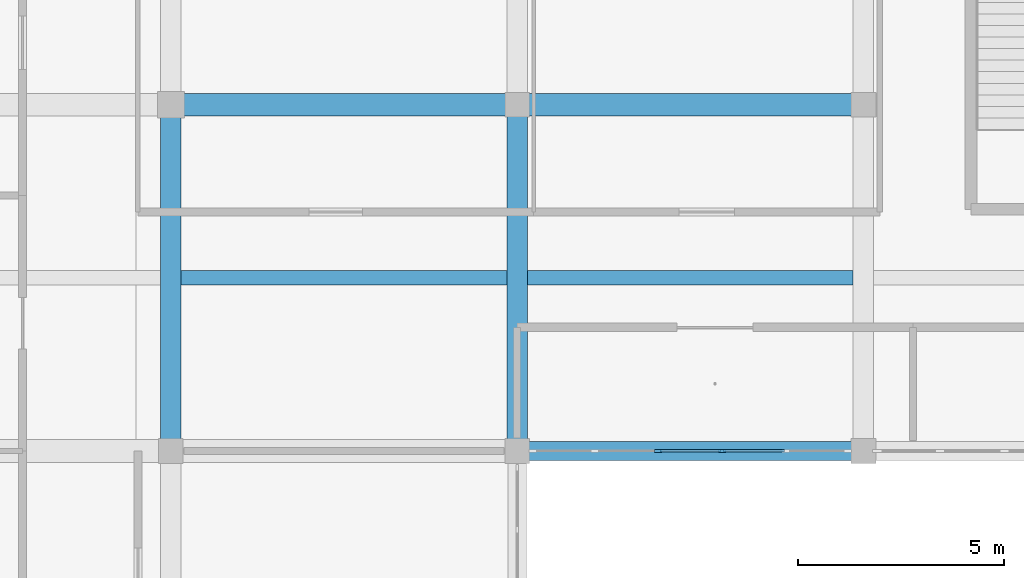
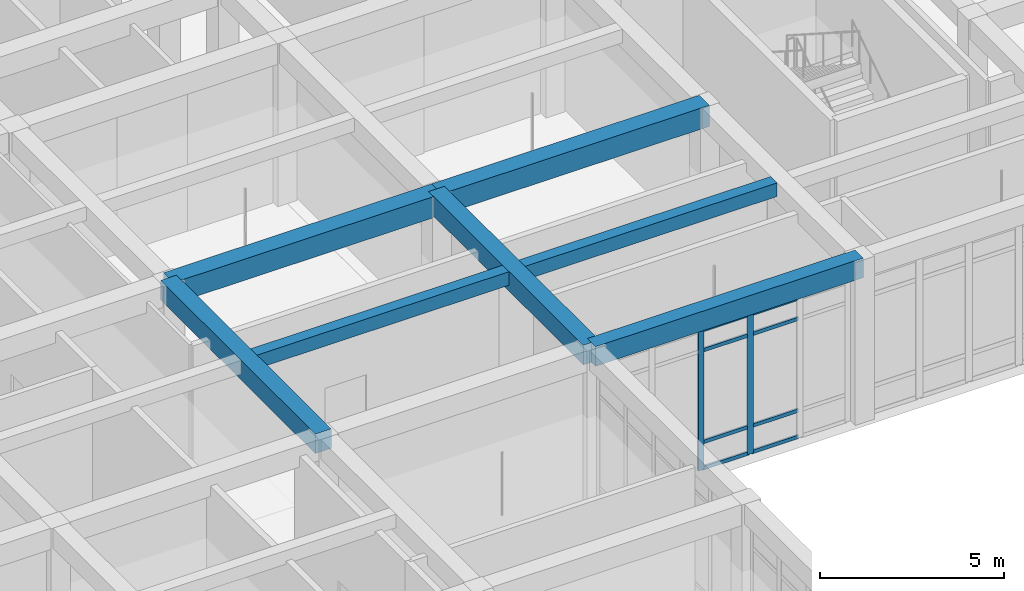
# One storey, part 32 of 157: 10 members, 7 beams, 1 element without a shape of its own.
"""IFC4 building model written with IfcOpenShell, lengths in metres."""

import ifcopenshell
import ifcopenshell.guid

model = None  # the IFC model being written
_history = None  # IfcOwnerHistory: only IFC2X3 demands one
_inside = {}  # id of a spatial element -> (the spatial element, [elements in it])
_under = {}  # id of a project, library or spatial element -> (it, [spatial elements below it])
_declared = {}  # id of a project -> (the project, [libraries it declares])
_typed = {}  # id of a type object -> (the type object, [elements of that type])
_made_of = {}  # id of a material, layer set ... -> (it, [elements and type objects made of it])


def new_model(schema):
    """Start an empty IFC model of exactly this schema.

    Asked for "IFC4X3", IfcOpenShell would pick the latest addendum, in which some entities
    have other attributes; the version numbers below select the first issue.
    IFC2X3 requires an IfcOwnerHistory on every rooted entity: one is made here for all.
    """
    global model, _history
    if schema == "IFC4X3":
        model = ifcopenshell.file(schema_version=(4, 3, 0, 0))
    else:
        model = ifcopenshell.file(schema=schema)
    _inside.clear()
    _under.clear()
    _declared.clear()
    _typed.clear()
    _made_of.clear()
    _history = None
    if model.schema == "IFC2X3":
        org = make("IfcOrganization", Name="unknown")
        user = make(
            "IfcPersonAndOrganization",
            ThePerson=make("IfcPerson", FamilyName="unknown"),
            TheOrganization=org,
        )
        app = make(
            "IfcApplication",
            ApplicationDeveloper=org,
            Version="unknown",
            ApplicationFullName="unknown",
            ApplicationIdentifier="unknown",
        )
        _history = make(
            "IfcOwnerHistory",
            OwningUser=user,
            OwningApplication=app,
            ChangeAction="ADDED",
            CreationDate=0,
        )
    return model


def make(cls, **values):
    """One entity of the class cls with the attributes given. An attribute that is None is left unset."""
    return model.create_entity(
        cls, **{name: value for name, value in values.items() if value is not None}
    )


def rooted(cls, **values):
    """An entity with a GlobalId (a new one), such as an element, a storey or a relation."""
    return make(cls, GlobalId=ifcopenshell.guid.new(), OwnerHistory=_history, **values)


def si_unit(unit_type, name, prefix=None):
    """IfcSIUnit, for example si_unit("LENGTHUNIT", "METRE", prefix="MILLI")."""
    return make("IfcSIUnit", UnitType=unit_type, Prefix=prefix, Name=name)


def assignment(units):
    """IfcUnitAssignment: the units of a project."""
    return None if units is None else make("IfcUnitAssignment", Units=units)


def point(xyz):
    """IfcCartesianPoint."""
    return None if xyz is None else make("IfcCartesianPoint", Coordinates=xyz)


def direction(xyz):
    """IfcDirection."""
    return None if xyz is None else make("IfcDirection", DirectionRatios=xyz)


def frame(location, z_axis=None, x_axis=None):
    """IfcAxis2Placement3D, a coordinate frame: its origin and axes. An axis left out is left unset."""
    return make(
        "IfcAxis2Placement3D",
        Location=point(location),
        Axis=direction(z_axis),
        RefDirection=direction(x_axis),
    )


def frame_2d(location, x_axis=None):
    """IfcAxis2Placement2D, a coordinate frame in the plane: its origin and x axis."""
    return make(
        "IfcAxis2Placement2D", Location=point(location), RefDirection=direction(x_axis)
    )


def origin():
    """The frame at (0, 0, 0) with its axes left unset."""
    return frame((0.0, 0.0, 0.0))


def origin_2d():
    """The frame at (0, 0) in the plane with its x axis left unset."""
    return frame_2d((0.0, 0.0))


def place(relative_to, where):
    """IfcLocalPlacement: puts the frame where relative to a parent placement (None: the world)."""
    return make(
        "IfcLocalPlacement", PlacementRelTo=relative_to, RelativePlacement=where
    )


def context(
    kind, dimensions, precision=None, world=None, true_north=None, identifier=None
):
    """IfcGeometricRepresentationContext, for example the 3D "Model" context."""
    return make(
        "IfcGeometricRepresentationContext",
        ContextIdentifier=identifier,
        ContextType=kind,
        CoordinateSpaceDimension=dimensions,
        Precision=precision,
        WorldCoordinateSystem=world,
        TrueNorth=true_north,
    )


def subcontext(parent, identifier, kind, view, scale=None):
    """IfcGeometricRepresentationSubContext, for example "Body" below "Model"."""
    return make(
        "IfcGeometricRepresentationSubContext",
        ContextIdentifier=identifier,
        ContextType=kind,
        ParentContext=parent,
        TargetScale=scale,
        TargetView=view,
    )


def project(units=None, contexts=None):
    """IfcProject with its units and contexts."""
    return rooted(
        "IfcProject",
        Name="project",
        RepresentationContexts=contexts,
        UnitsInContext=assignment(units),
    )


def spatial(cls, under=None, at=None, **own):
    """A site, building, storey or space (cls), placed at a placement, below another one or the project."""
    s = rooted(cls, ObjectPlacement=at, **own)
    if under is not None:
        _under.setdefault(under.id(), (under, []))[1].append(s)
    return s


def profile(cls, at=None, kind="AREA", **sizes):
    """A parametric profile (cls). Its sizes go by their IFC names, for example OverallWidth=200.0."""
    return make(cls, ProfileType=kind, Position=at, **sizes)


def rectangle(**sizes):
    """IfcRectangleProfileDef."""
    return profile("IfcRectangleProfileDef", **sizes)


def extrude(swept, where, along, depth):
    """IfcExtrudedAreaSolid: the profile swept, set in the frame where, extruded along a direction by depth."""
    return make(
        "IfcExtrudedAreaSolid",
        SweptArea=swept,
        Position=where,
        ExtrudedDirection=direction(along),
        Depth=depth,
    )


def shape(context_of_items, identifier, shape_type, items):
    """IfcShapeRepresentation: the items that make up one representation, for example the "Body"."""
    return make(
        "IfcShapeRepresentation",
        ContextOfItems=context_of_items,
        RepresentationIdentifier=identifier,
        RepresentationType=shape_type,
        Items=items,
    )


def material(Name=None, Category=None):
    """IfcMaterial."""
    return make("IfcMaterial", Name=Name, Category=Category)


def material_profile(
    of_material, cross_section, Name=None, Category=None, Priority=None
):
    """IfcMaterialProfile: a cross section and its material."""
    return make(
        "IfcMaterialProfile",
        Name=Name,
        Material=of_material,
        Profile=cross_section,
        Priority=Priority,
        Category=Category,
    )


def profile_set(profiles, Name=None, composite=None):
    """IfcMaterialProfileSet."""
    return make(
        "IfcMaterialProfileSet",
        Name=Name,
        MaterialProfiles=profiles,
        CompositeProfile=composite,
    )


def made_of(thing, what):
    """Note that an element or type object is made of a material, layer set ...; save() writes the relation."""
    if what is not None:
        _made_of.setdefault(what.id(), (what, []))[1].append(thing)
    return thing


def type_object(cls, material=None, **own):
    """A type object (cls), such as IfcWallType, which elements share."""
    return made_of(rooted(cls, **own), material)


def element(
    cls,
    number,
    at=None,
    inside=None,
    cuts=None,
    type_object=None,
    material=None,
    context=None,
    identifier="Body",
    shape_type=None,
    held_by="IfcProductDefinitionShape",
    body=None,
    shapes=None,
    **own,
):
    """One element of the class cls, such as IfcWall. Its Tag is "e" and its number.

    at: its placement. inside: the storey or other place that contains it. cuts: it is an
    opening in that element (IfcRelVoidsElement). A single representation is given by context,
    identifier, shape_type and body (its items); several are given by shapes. held_by: the class
    of the entity that holds the representations. save() writes the other relations.
    """
    e = rooted(cls, Tag="e%d" % number, ObjectPlacement=at, **own)
    if body is not None:
        shapes = [shape(context, identifier, shape_type, body)]
    if shapes is not None:
        e.Representation = make(held_by, Representations=shapes)
    if inside is not None:
        _inside.setdefault(inside.id(), (inside, []))[1].append(e)
    if cuts is not None:
        rooted(
            "IfcRelVoidsElement", RelatingBuildingElement=cuts, RelatedOpeningElement=e
        )
    if type_object is not None:
        _typed.setdefault(type_object.id(), (type_object, []))[1].append(e)
    return made_of(e, material)


def aggregate(whole, parts):
    """IfcRelAggregates: a whole, such as a stair, and the parts it consists of."""
    return rooted("IfcRelAggregates", RelatingObject=whole, RelatedObjects=parts)


def save(model, path):
    """Write the relations noted so far, then the file.

    IfcRelAggregates (storeys below a building ...), IfcRelContainedInSpatialStructure (elements
    in a storey), IfcRelDefinesByType, IfcRelAssociatesMaterial and IfcRelDeclares: one each for
    every whole, place, type object, material and project.
    """
    for whole, parts in _under.values():
        aggregate(whole, parts)
    for where, things in _inside.values():
        rooted(
            "IfcRelContainedInSpatialStructure",
            RelatedElements=things,
            RelatingStructure=where,
        )
    for kind, things in _typed.values():
        rooted("IfcRelDefinesByType", RelatedObjects=things, RelatingType=kind)
    for what, things in _made_of.values():
        rooted("IfcRelAssociatesMaterial", RelatedObjects=things, RelatingMaterial=what)
    for by, libraries in _declared.values():
        rooted("IfcRelDeclares", RelatingContext=by, RelatedDefinitions=libraries)
    model.write(path)


model = new_model("IFC4")

# Units and contexts
model_context = context("Model", 3, precision=1e-05, world=origin(), true_north=direction((0.0, 1.0)))
body_context = subcontext(model_context, "Body", "Model", "MODEL_VIEW")
ifc_project = project(units=[si_unit("LENGTHUNIT", "METRE"), si_unit("AREAUNIT", "SQUARE_METRE"), si_unit("VOLUMEUNIT", "CUBIC_METRE"), si_unit("PLANEANGLEUNIT", "RADIAN"), si_unit("MASSUNIT", "GRAM", prefix="KILO")], contexts=[model_context])

# Site, building, storey
site_placement = place(None, origin())
site = spatial("IfcSite", under=ifc_project, at=site_placement, CompositionType="ELEMENT")
building_placement = place(site_placement, origin())
building = spatial("IfcBuilding", under=site, at=building_placement, Name="Varncliffe General Hospital", CompositionType="ELEMENT")
storey_placement = place(building_placement, frame((0.0, 0.0, 5.39990234375)))
storey = spatial("IfcBuildingStorey", under=building, at=storey_placement, Name="L01", CompositionType="ELEMENT", Elevation=5.39990234375)

# Beams
ifc_material_1 = material(Name="Concrete C35/45 (CSA A23.1 35 MPa)", Category="concrete")
ifc_material_profile_1 = material_profile(ifc_material_1, rectangle(XDim=0.5, YDim=0.64990234375, at=origin_2d()), Name="RC 500x650")
ifc_profile_set_1 = profile_set([ifc_material_profile_1], Name="Concrete C35/45 (CSA A23.1 35 MPa)")
beam_type_1 = type_object("IfcBeamType", Name="Beam B29 (Int RC 500x650)", PredefinedType="BEAM", material=ifc_profile_set_1)
for number, where, z_axis, x_axis, name in (
    (1, (16.800048828125, 82.800048828125, 5.0751953125), (0.0, 1.0, 0.0), (-1.0, 0.0, 0.0), "L01 Primary Beam B29-302"),
    (2, (25.199951171875, 82.800048828125, 5.0751953125), (0.0, 1.0, 0.0), (-1.0, 0.0, 0.0), "L01 Primary Beam B29-319"),
):
    element("IfcBeam", number, at=place(storey_placement, frame(where, z_axis=z_axis, x_axis=x_axis)), inside=storey, type_object=beam_type_1, Name=name, PredefinedType="BEAM", context=body_context, shape_type="SweptSolid", body=[
        extrude(rectangle(XDim=0.5, YDim=0.64990234375, at=origin_2d()), origin(), (0.0, 0.0, 1.0), 8.39990234375),
    ])
ifc_material_profile_2 = material_profile(ifc_material_1, rectangle(XDim=0.550048828125, YDim=0.699951171875, at=origin_2d()), Name="RC 550x700")
ifc_profile_set_2 = profile_set([ifc_material_profile_2], Name="Concrete C35/45 (CSA A23.1 35 MPa)")
beam_type_2 = type_object("IfcBeamType", Name="Beam B35 (Int RC 550x700)", PredefinedType="BEAM", material=ifc_profile_set_2)
beam_1_placement = place(storey_placement, frame((16.800048828125, 91.199951171875, 5.050048828125), z_axis=(1.0, 0.0, 0.0), x_axis=(0.0, 1.0, 0.0)))
element("IfcBeam", 3, at=beam_1_placement, inside=storey, type_object=beam_type_2, Name="L01 Primary Beam B35-135", PredefinedType="BEAM", context=body_context, shape_type="SweptSolid", body=[
    extrude(rectangle(XDim=0.550048828125, YDim=0.699951171875, at=origin_2d()), origin(), (0.0, 0.0, 1.0), 8.39990234375),
])
beam_2_placement = place(storey_placement, frame((25.199951171875, 91.199951171875, 5.050048828125), z_axis=(1.0, 0.0, 0.0), x_axis=(0.0, 1.0, 0.0)))
element("IfcBeam", 4, at=beam_2_placement, inside=storey, type_object=beam_type_2, Name="L01 Primary Beam B35-136", PredefinedType="BEAM", context=body_context, shape_type="SweptSolid", body=[
    extrude(rectangle(XDim=0.550048828125, YDim=0.699951171875, at=origin_2d()), origin(), (0.0, 0.0, 1.0), 8.400146484375),
])

# Curtain wall, members
ifc_material_2 = material(Name="Triple low-E argon insulated vision glazing", Category="glass")
curtain_wall_type = type_object("IfcCurtainWallType", Name="Unitised Glazed Curtain Wall CW70 (7724x4640)", PredefinedType="USERDEFINED", material=ifc_material_2)
curtain_wall_placement = place(storey_placement, origin())
curtain_wall = element("IfcCurtainWall", 5, at=curtain_wall_placement, inside=storey, type_object=curtain_wall_type, Name="L01 Glazed Curtain Wall CW70-76", ObjectType="GLAZED CURTAIN WALL", PredefinedType="USERDEFINED")
ifc_material_3 = material(Name="Dark bronze thermally broken aluminium framing", Category="aluminium")
ifc_material_profile_3 = material_profile(ifc_material_3, rectangle(XDim=0.074951171875, YDim=0.179931640625, at=origin_2d()), Name="ALU 75x180")
ifc_profile_set_3 = profile_set([ifc_material_profile_3], Name="Dark bronze thermally broken aluminium framing")
member_type_1 = type_object("IfcMemberType", Name="Curtain Wall Mullion CM44 (ALU 75x180)", PredefinedType="MULLION", material=ifc_profile_set_3)
member_1_placement = place(storey_placement, frame((30.17236328125, 82.800048828125, 0.0), z_axis=(0.0, 0.0, 1.0), x_axis=(0.0, -1.0, 0.0)))
member_1 = element("IfcMember", 6, at=member_1_placement, type_object=member_type_1, Name="CW70 mullion 3", PredefinedType="MULLION", context=body_context, shape_type="SweptSolid", body=[
    extrude(rectangle(XDim=0.074951171875, YDim=0.179931640625, at=origin_2d()), origin(), (0.0, 0.0, 1.0), 4.64013671875),
])
member_2_placement = place(storey_placement, frame((28.627685546875, 82.800048828125, 0.0), z_axis=(0.0, 0.0, 1.0), x_axis=(0.0, -1.0, 0.0)))
member_2 = element("IfcMember", 7, at=member_2_placement, type_object=member_type_1, Name="CW70 mullion 4", PredefinedType="MULLION", context=body_context, shape_type="SweptSolid", body=[
    extrude(rectangle(XDim=0.074951171875, YDim=0.179931640625, at=origin_2d()), origin(), (0.0, 0.0, 1.0), 4.64013671875),
])
ifc_material_profile_4 = material_profile(ifc_material_3, rectangle(XDim=0.06005859375, YDim=0.1201171875, at=origin_2d()), Name="ALU 60x120")
ifc_profile_set_4 = profile_set([ifc_material_profile_4], Name="Dark bronze thermally broken aluminium framing")
member_type_2 = type_object("IfcMemberType", Name="Curtain Wall Transom CT14 (ALU 60x120)", PredefinedType="USERDEFINED", material=ifc_profile_set_4)
member_3_placement = place(storey_placement, frame((31.6796875, 82.800048828125, 0.030029296875), z_axis=(-1.0, 0.0, 0.0), x_axis=(0.0, -1.0, 0.0)))
member_3 = element("IfcMember", 8, at=member_3_placement, type_object=member_type_2, Name="CW70 transom 2.1", ObjectType="TRANSOM", PredefinedType="USERDEFINED", context=body_context, shape_type="SweptSolid", body=[
    extrude(rectangle(XDim=0.06005859375, YDim=0.1201171875, at=origin_2d()), origin(), (0.0, 0.0, 1.0), 1.4697265625),
])
member_4_placement = place(storey_placement, frame((31.6796875, 82.800048828125, 0.900146484375), z_axis=(-1.0, 0.0, 0.0), x_axis=(0.0, -1.0, 0.0)))
member_4 = element("IfcMember", 9, at=member_4_placement, type_object=member_type_2, Name="CW70 transom 2.2", ObjectType="TRANSOM", PredefinedType="USERDEFINED", context=body_context, shape_type="SweptSolid", body=[
    extrude(rectangle(XDim=0.06005859375, YDim=0.1201171875, at=origin_2d()), origin(), (0.0, 0.0, 1.0), 1.4697265625),
])
member_5_placement = place(storey_placement, frame((31.6796875, 82.800048828125, 3.940185546875), z_axis=(-1.0, 0.0, 0.0), x_axis=(0.0, -1.0, 0.0)))
member_5 = element("IfcMember", 10, at=member_5_placement, type_object=member_type_2, Name="CW70 transom 2.3", ObjectType="TRANSOM", PredefinedType="USERDEFINED", context=body_context, shape_type="SweptSolid", body=[
    extrude(rectangle(XDim=0.06005859375, YDim=0.1201171875, at=origin_2d()), origin(), (0.0, 0.0, 1.0), 1.4697265625),
])
member_6_placement = place(storey_placement, frame((31.6796875, 82.800048828125, 4.610107421875), z_axis=(-1.0, 0.0, 0.0), x_axis=(0.0, -1.0, 0.0)))
member_6 = element("IfcMember", 11, at=member_6_placement, type_object=member_type_2, Name="CW70 transom 2.4", ObjectType="TRANSOM", PredefinedType="USERDEFINED", context=body_context, shape_type="SweptSolid", body=[
    extrude(rectangle(XDim=0.06005859375, YDim=0.1201171875, at=origin_2d()), origin(), (0.0, 0.0, 1.0), 1.4697265625),
])
member_7_placement = place(storey_placement, frame((30.135009765625, 82.800048828125, 0.030029296875), z_axis=(-1.0, 0.0, 0.0), x_axis=(0.0, -1.0, 0.0)))
member_7 = element("IfcMember", 12, at=member_7_placement, type_object=member_type_2, Name="CW70 transom 3.1", ObjectType="TRANSOM", PredefinedType="USERDEFINED", context=body_context, shape_type="SweptSolid", body=[
    extrude(rectangle(XDim=0.06005859375, YDim=0.1201171875, at=origin_2d()), origin(), (0.0, 0.0, 1.0), 1.469970703125),
])
member_8_placement = place(storey_placement, frame((30.135009765625, 82.800048828125, 0.900146484375), z_axis=(-1.0, 0.0, 0.0), x_axis=(0.0, -1.0, 0.0)))
member_8 = element("IfcMember", 13, at=member_8_placement, type_object=member_type_2, Name="CW70 transom 3.2", ObjectType="TRANSOM", PredefinedType="USERDEFINED", context=body_context, shape_type="SweptSolid", body=[
    extrude(rectangle(XDim=0.06005859375, YDim=0.1201171875, at=origin_2d()), origin(), (0.0, 0.0, 1.0), 1.469970703125),
])
member_9_placement = place(storey_placement, frame((30.135009765625, 82.800048828125, 3.940185546875), z_axis=(-1.0, 0.0, 0.0), x_axis=(0.0, -1.0, 0.0)))
member_9 = element("IfcMember", 14, at=member_9_placement, type_object=member_type_2, Name="CW70 transom 3.3", ObjectType="TRANSOM", PredefinedType="USERDEFINED", context=body_context, shape_type="SweptSolid", body=[
    extrude(rectangle(XDim=0.06005859375, YDim=0.1201171875, at=origin_2d()), origin(), (0.0, 0.0, 1.0), 1.469970703125),
])
member_10_placement = place(storey_placement, frame((30.135009765625, 82.800048828125, 4.610107421875), z_axis=(-1.0, 0.0, 0.0), x_axis=(0.0, -1.0, 0.0)))
member_10 = element("IfcMember", 15, at=member_10_placement, type_object=member_type_2, Name="CW70 transom 3.4", ObjectType="TRANSOM", PredefinedType="USERDEFINED", context=body_context, shape_type="SweptSolid", body=[
    extrude(rectangle(XDim=0.06005859375, YDim=0.1201171875, at=origin_2d()), origin(), (0.0, 0.0, 1.0), 1.469970703125),
])
aggregate(curtain_wall, [member_1, member_2, member_3, member_4, member_5, member_6, member_7, member_8, member_9, member_10])

# Beams
ifc_material_profile_5 = material_profile(ifc_material_1, rectangle(XDim=0.35009765625, YDim=0.449951171875, at=origin_2d()), Name="RC 350x450")
ifc_profile_set_5 = profile_set([ifc_material_profile_5], Name="Concrete C35/45 (CSA A23.1 35 MPa)")
beam_type_3 = type_object("IfcBeamType", Name="Joist J55 (Int RC 350x450)", PredefinedType="JOIST", material=ifc_profile_set_5)
beam_3_placement = place(storey_placement, frame((17.048095703125, 87.0, 5.175048828125), z_axis=(1.0, 0.0, 0.0), x_axis=(0.0, 1.0, 0.0)))
element("IfcBeam", 16, at=beam_3_placement, inside=storey, type_object=beam_type_3, Name="L01 Secondary Floor Rib J55-13", PredefinedType="JOIST", context=body_context, shape_type="SweptSolid", body=[
    extrude(rectangle(XDim=0.35009765625, YDim=0.449951171875, at=origin_2d()), origin(), (0.0, 0.0, 1.0), 7.90380859375),
])
beam_4_placement = place(storey_placement, frame((25.447998046875, 87.0, 5.175048828125), z_axis=(1.0, 0.0, 0.0), x_axis=(0.0, 1.0, 0.0)))
element("IfcBeam", 17, at=beam_4_placement, inside=storey, type_object=beam_type_3, Name="L01 Secondary Floor Rib J55-17", PredefinedType="JOIST", context=body_context, shape_type="SweptSolid", body=[
    extrude(rectangle(XDim=0.35009765625, YDim=0.449951171875, at=origin_2d()), origin(), (0.0, 0.0, 1.0), 7.904052734375),
])
ifc_material_profile_6 = material_profile(ifc_material_1, rectangle(XDim=0.449951171875, YDim=0.64990234375, at=origin_2d()), Name="RC 450x650")
ifc_profile_set_6 = profile_set([ifc_material_profile_6], Name="Concrete C35/45 (CSA A23.1 35 MPa)")
beam_type_4 = type_object("IfcBeamType", Name="Spandrel SP38 (Ext RC 450x650B)", PredefinedType="SPANDREL", material=ifc_profile_set_6)
beam_5_placement = place(storey_placement, frame((25.199951171875, 82.800048828125, 5.0751953125), z_axis=(1.0, 0.0, 0.0), x_axis=(0.0, 1.0, 0.0)))
element("IfcBeam", 18, at=beam_5_placement, inside=storey, type_object=beam_type_4, Name="L01 Spandrel Beam SP38-115", PredefinedType="SPANDREL", context=body_context, shape_type="SweptSolid", body=[
    extrude(rectangle(XDim=0.449951171875, YDim=0.64990234375, at=origin_2d()), origin(), (0.0, 0.0, 1.0), 8.400146484375),
])

save(model, "model.ifc")
